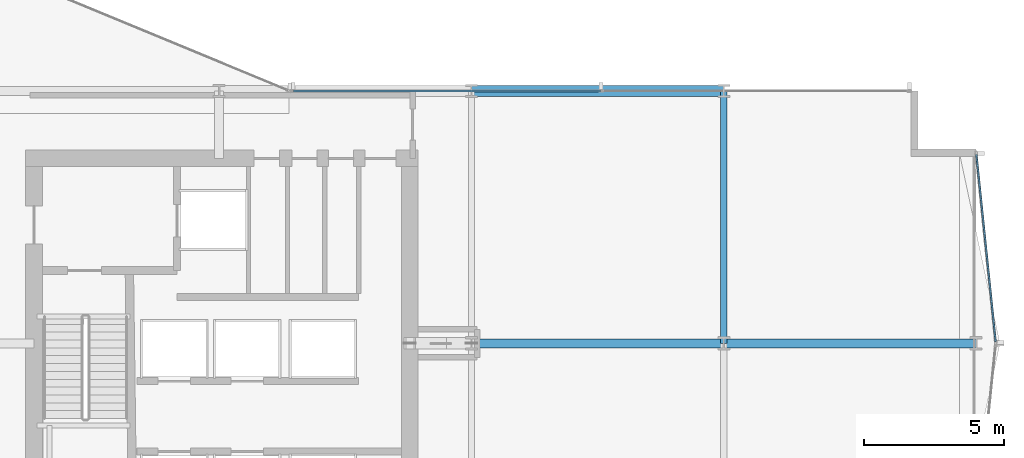
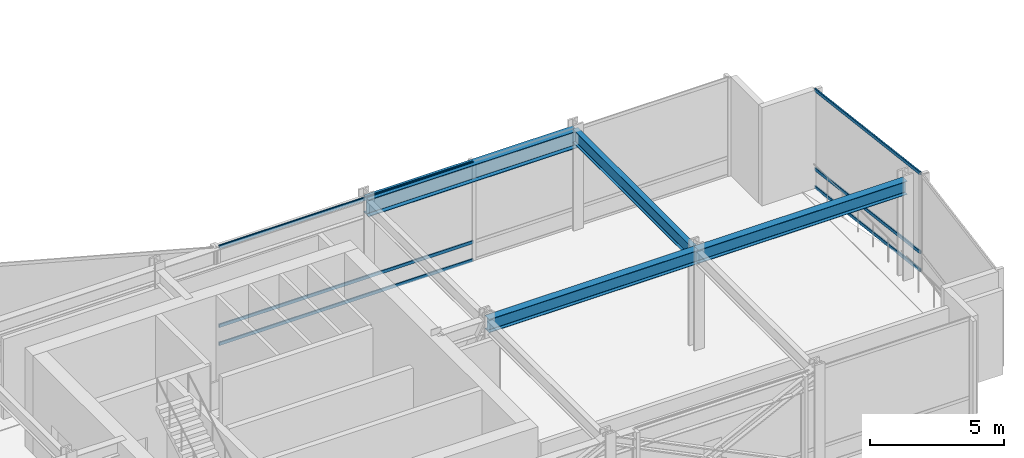
# One storey, part 17 of 42: 6 members, 4 beams, 2 elements without a shape of their own.
"""IFC4 building model written with IfcOpenShell, lengths in metres."""

from ifc_helpers import new_model, si_unit, direction, frame, origin, origin_2d, place, context, subcontext, project, spatial, hollow_rectangle, i_section, extrude, material, layer, layer_set, material_profile, profile_set, type_object, element, aggregate, save


model = new_model("IFC4")

# Units and contexts
model_context = context("Model", 3, precision=1e-05, world=origin(), true_north=direction((0.0, 1.0)))
body_context = subcontext(model_context, "Body", "Model", "MODEL_VIEW")
ifc_project = project(units=[si_unit("LENGTHUNIT", "METRE"), si_unit("AREAUNIT", "SQUARE_METRE"), si_unit("VOLUMEUNIT", "CUBIC_METRE"), si_unit("PLANEANGLEUNIT", "RADIAN"), si_unit("MASSUNIT", "GRAM", prefix="KILO")], contexts=[model_context])

# Site, building, storey
site_placement = place(None, origin())
site = spatial("IfcSite", under=ifc_project, at=site_placement, CompositionType="ELEMENT")
building_placement = place(site_placement, origin())
building = spatial("IfcBuilding", under=site, at=building_placement, Name="Solvaryn Broadcast Tower", CompositionType="ELEMENT")
storey_placement = place(building_placement, frame((0.0, 0.0, 100.199951171875)))
storey = spatial("IfcBuildingStorey", under=building, at=storey_placement, Name="L24", CompositionType="ELEMENT", Elevation=100.199951171875)

# Beams
ifc_material_1 = material(Name="Steel ASTM A992 Grade 50", Category="steel")
ifc_material_profile_1 = material_profile(ifc_material_1, i_section(OverallWidth=0.323974609375, OverallDepth=0.611083984375, WebThickness=0.0126953125, FlangeThickness=0.01904296875, FilletRadius=0.014892578125, at=origin_2d()))
ifc_profile_set_1 = profile_set([ifc_material_profile_1], Name="Steel ASTM A992 Grade 50")
beam_type_1 = type_object("IfcBeamType", Name="BM-B1-W24X104", PredefinedType="BEAM", material=ifc_profile_set_1)
for number, where, z_axis, x_axis, name in (
    (1, (45.0, 18.0, 4.16455078125), (1.0, 0.0, 0.0), (0.0, 1.0, 0.0), "L24 Primary Beam X (45-54 @ Y=18)"),
    (2, (54.0, 18.0, 4.16455078125), (1.0, 0.0, 0.0), (0.0, 1.0, 0.0), "L24 Primary Beam X (54-63 @ Y=18)"),
):
    element("IfcBeam", number, at=place(storey_placement, frame(where, z_axis=z_axis, x_axis=x_axis)), inside=storey, type_object=beam_type_1, Name=name, PredefinedType="BEAM", context=body_context, shape_type="SweptSolid", body=[
        extrude(i_section(OverallWidth=0.323974609375, OverallDepth=0.611083984375, WebThickness=0.0126953125, FlangeThickness=0.01904296875, FilletRadius=0.014892578125, at=origin_2d()), origin(), (0.0, 0.0, 1.0), 9.0),
    ])
ifc_material_2 = material(Name="Steel ASTM A992 Grade 50", Category="steel")
ifc_material_profile_2 = material_profile(ifc_material_2, i_section(OverallWidth=0.22802734375, OverallDepth=0.60791015625, WebThickness=0.01123046875, FlangeThickness=0.017333984375, FilletRadius=0.014892578125, at=origin_2d()))
ifc_profile_set_2 = profile_set([ifc_material_profile_2], Name="Steel ASTM A992 Grade 50")
beam_type_2 = type_object("IfcBeamType", Name="BM-B2-W24X76", PredefinedType="BEAM", material=ifc_profile_set_2)
beam_1_placement = place(storey_placement, frame((54.0, 18.0, 4.166015625), z_axis=(0.0, 1.0, 0.0), x_axis=(-1.0, 0.0, 0.0)))
element("IfcBeam", 3, at=beam_1_placement, inside=storey, type_object=beam_type_2, Name="L24 Primary Beam Y (18-27 @ X=54)", PredefinedType="BEAM", context=body_context, shape_type="SweptSolid", body=[
    extrude(i_section(OverallWidth=0.22802734375, OverallDepth=0.60791015625, WebThickness=0.01123046875, FlangeThickness=0.017333984375, FilletRadius=0.014892578125, at=origin_2d()), origin(), (0.0, 0.0, 1.0), 9.0),
])
ifc_material_3 = material(Name="Steel ASTM A992 Grade 50", Category="steel")
ifc_material_profile_3 = material_profile(ifc_material_3, i_section(OverallWidth=0.381103515625, OverallDepth=0.77294921875, WebThickness=0.0166015625, FlangeThickness=0.027099609375, FilletRadius=0.01806640625, at=origin_2d()))
ifc_profile_set_3 = profile_set([ifc_material_profile_3], Name="Steel ASTM A992 Grade 50")
beam_type_3 = type_object("IfcBeamType", Name="BM-SP1-W30X173", PredefinedType="USERDEFINED", material=ifc_profile_set_3)
beam_2_placement = place(storey_placement, frame((45.0, 27.0, 4.08349609375), z_axis=(1.0, 0.0, 0.0), x_axis=(0.0, 1.0, 0.0)))
element("IfcBeam", 4, at=beam_2_placement, inside=storey, type_object=beam_type_3, Name="L24 Spandrel Beam X (45-54 @ Y=27)", ObjectType="SPANDREL", PredefinedType="USERDEFINED", context=body_context, shape_type="SweptSolid", body=[
    extrude(i_section(OverallWidth=0.381103515625, OverallDepth=0.77294921875, WebThickness=0.0166015625, FlangeThickness=0.027099609375, FilletRadius=0.01806640625, at=origin_2d()), origin(), (0.0, 0.0, 1.0), 9.0),
])

# Curtain wall, members
ifc_material_4 = material(Name="Aluminium and Terracotta Unitised Curtain Wall", Category="masonry")
ifc_layer = layer(ifc_material_4, 0.199951171875)
ifc_layer_set = layer_set([ifc_layer], Name="CW-SYS2-LOWMID")
curtain_wall_type = type_object("IfcCurtainWallType", Name="CW-SYS2-LOWMID", PredefinedType="NOTDEFINED", material=ifc_layer_set)
curtain_wall_1_placement = place(storey_placement, origin())
curtain_wall_1 = element("IfcCurtainWall", 5, at=curtain_wall_1_placement, inside=storey, type_object=curtain_wall_type, Name="L24 Curtain Wall ET1", PredefinedType="NOTDEFINED")
ifc_material_5 = material(Name="Anodised Aluminium 6063-T6", Category="aluminium")
ifc_material_profile_4 = material_profile(ifc_material_5, hollow_rectangle(XDim=0.06494140625, YDim=0.14990234375, WallThickness=0.00390625, InnerFilletRadius=0.00390625, OuterFilletRadius=0.008056640625, at=origin_2d()))
ifc_profile_set_4 = profile_set([ifc_material_profile_4], Name="Anodised Aluminium 6063-T6")
member_type = type_object("IfcMemberType", Name="CW-TRN-150", PredefinedType="USERDEFINED", material=ifc_profile_set_4)
member_1_placement = place(storey_placement, frame((63.006103515625, 24.740234375, 0.030029296875), z_axis=(0.102404277363, -0.994742863245, 0.0), x_axis=(0.994742863245, 0.102404277363, 0.0)))
member_1 = element("IfcMember", 6, at=member_1_placement, type_object=member_type, Name="CWS2 transom 1.1", ObjectType="TRANSOM", PredefinedType="USERDEFINED", context=body_context, shape_type="SweptSolid", body=[
    extrude(hollow_rectangle(XDim=0.06494140625, YDim=0.14990234375, WallThickness=0.00390625, InnerFilletRadius=0.00390625, OuterFilletRadius=0.008056640625, at=origin_2d()), origin(), (0.0, 0.0, 1.0), 6.716064453125),
])
member_2_placement = place(storey_placement, frame((63.006103515625, 24.740234375, 0.85009765625), z_axis=(0.102404277363, -0.994742863245, 0.0), x_axis=(0.994742863245, 0.102404277363, 0.0)))
member_2 = element("IfcMember", 7, at=member_2_placement, type_object=member_type, Name="CWS2 transom 1.2", ObjectType="TRANSOM", PredefinedType="USERDEFINED", context=body_context, shape_type="SweptSolid", body=[
    extrude(hollow_rectangle(XDim=0.06494140625, YDim=0.14990234375, WallThickness=0.00390625, InnerFilletRadius=0.00390625, OuterFilletRadius=0.008056640625, at=origin_2d()), origin(), (0.0, 0.0, 1.0), 6.716064453125),
])
member_3_placement = place(storey_placement, frame((63.006103515625, 24.740234375, 4.43994140625), z_axis=(0.102404277363, -0.994742863245, 0.0), x_axis=(0.994742863245, 0.102404277363, 0.0)))
member_3 = element("IfcMember", 8, at=member_3_placement, type_object=member_type, Name="CWS2 transom 1.3", ObjectType="TRANSOM", PredefinedType="USERDEFINED", context=body_context, shape_type="SweptSolid", body=[
    extrude(hollow_rectangle(XDim=0.06494140625, YDim=0.14990234375, WallThickness=0.00390625, InnerFilletRadius=0.00390625, OuterFilletRadius=0.008056640625, at=origin_2d()), origin(), (0.0, 0.0, 1.0), 6.716064453125),
])
aggregate(curtain_wall_1, [member_1, member_2, member_3])

curtain_wall_2_placement = place(storey_placement, origin())
curtain_wall_2 = element("IfcCurtainWall", 9, at=curtain_wall_2_placement, inside=storey, type_object=curtain_wall_type, Name="L24 Curtain Wall IH", PredefinedType="NOTDEFINED")
member_4_placement = place(storey_placement, frame((38.659912109375, 27.0, 0.030029296875), z_axis=(1.0, 0.0, 0.0), x_axis=(0.0, 1.0, 0.0)))
member_4 = element("IfcMember", 10, at=member_4_placement, type_object=member_type, Name="CWS2 transom 1.1", ObjectType="TRANSOM", PredefinedType="USERDEFINED", context=body_context, shape_type="SweptSolid", body=[
    extrude(hollow_rectangle(XDim=0.06494140625, YDim=0.14990234375, WallThickness=0.00390625, InnerFilletRadius=0.00390625, OuterFilletRadius=0.008056640625, at=origin_2d()), origin(), (0.0, 0.0, 1.0), 10.93505859375),
])
member_5_placement = place(storey_placement, frame((38.659912109375, 27.0, 0.85009765625), z_axis=(1.0, 0.0, 0.0), x_axis=(0.0, 1.0, 0.0)))
member_5 = element("IfcMember", 11, at=member_5_placement, type_object=member_type, Name="CWS2 transom 1.2", ObjectType="TRANSOM", PredefinedType="USERDEFINED", context=body_context, shape_type="SweptSolid", body=[
    extrude(hollow_rectangle(XDim=0.06494140625, YDim=0.14990234375, WallThickness=0.00390625, InnerFilletRadius=0.00390625, OuterFilletRadius=0.008056640625, at=origin_2d()), origin(), (0.0, 0.0, 1.0), 10.93505859375),
])
member_6_placement = place(storey_placement, frame((38.659912109375, 27.0, 4.43994140625), z_axis=(1.0, 0.0, 0.0), x_axis=(0.0, 1.0, 0.0)))
member_6 = element("IfcMember", 12, at=member_6_placement, type_object=member_type, Name="CWS2 transom 1.3", ObjectType="TRANSOM", PredefinedType="USERDEFINED", context=body_context, shape_type="SweptSolid", body=[
    extrude(hollow_rectangle(XDim=0.06494140625, YDim=0.14990234375, WallThickness=0.00390625, InnerFilletRadius=0.00390625, OuterFilletRadius=0.008056640625, at=origin_2d()), origin(), (0.0, 0.0, 1.0), 10.93505859375),
])
aggregate(curtain_wall_2, [member_4, member_5, member_6])

save(model, "model.ifc")
